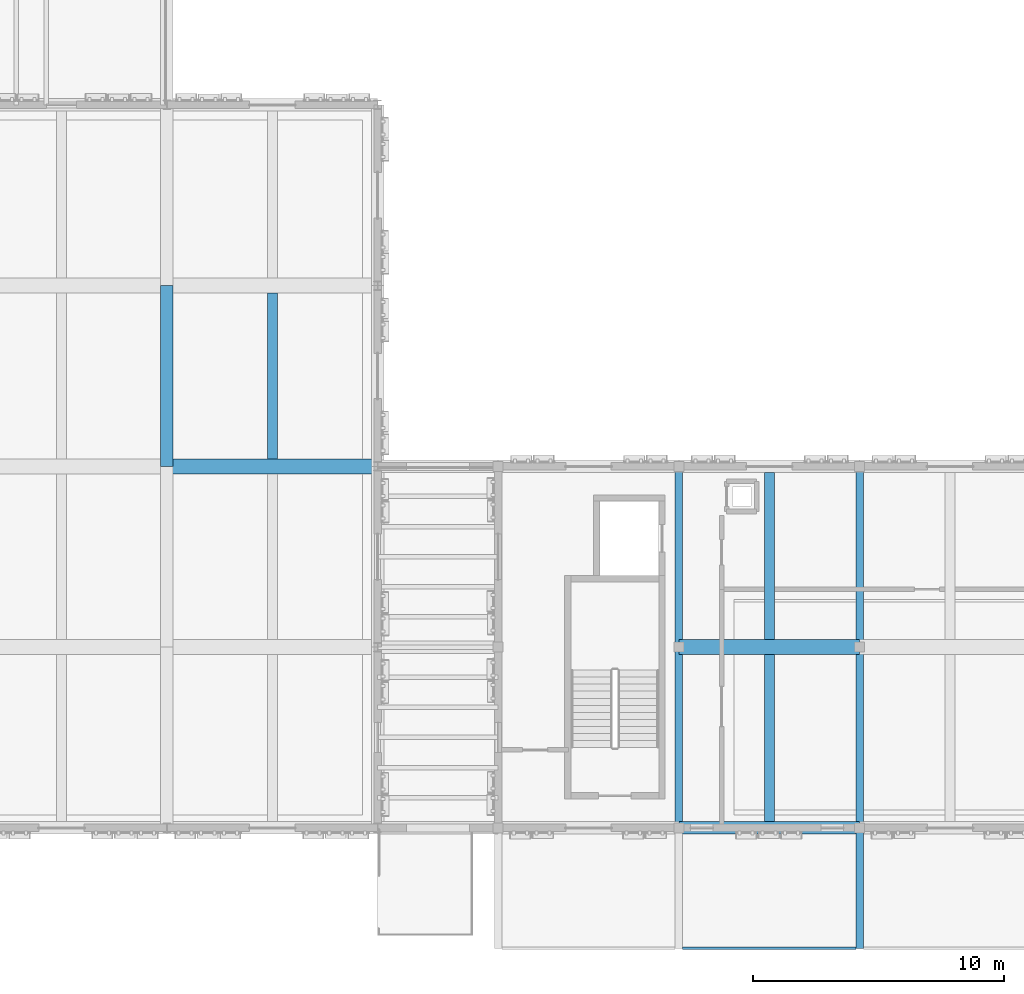
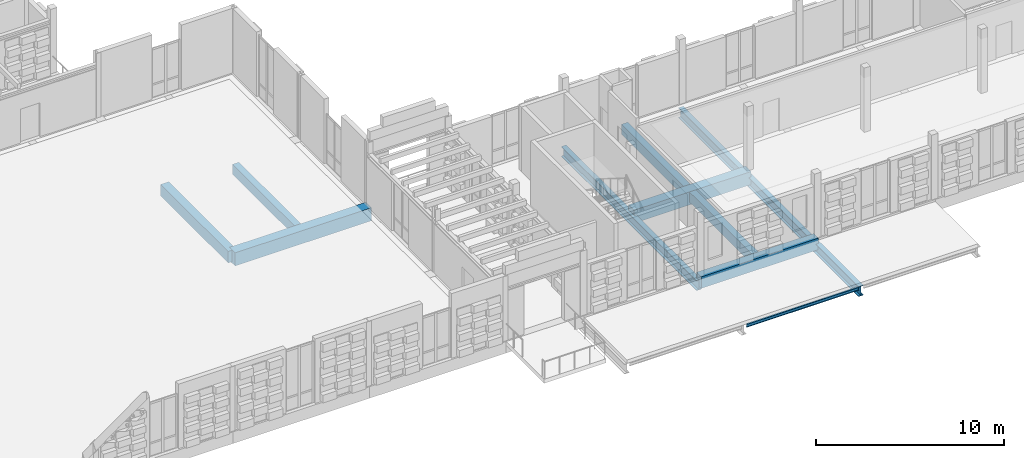
# One storey, part 14 of 99: 11 beams.
"""IFC4 building model written with IfcOpenShell, lengths in metres."""

from ifc_helpers import new_model, si_unit, direction, frame, origin, origin_2d, place, context, subcontext, project, spatial, rectangle, i_section, extrude, material, material_profile, profile_set, type_object, element, save


model = new_model("IFC4")

# Units and contexts
model_context = context("Model", 3, precision=1e-05, world=origin(), true_north=direction((0.0, 1.0)))
body_context = subcontext(model_context, "Body", "Model", "MODEL_VIEW")
ifc_project = project(units=[si_unit("LENGTHUNIT", "METRE"), si_unit("AREAUNIT", "SQUARE_METRE"), si_unit("VOLUMEUNIT", "CUBIC_METRE"), si_unit("PLANEANGLEUNIT", "RADIAN"), si_unit("MASSUNIT", "GRAM", prefix="KILO")], contexts=[model_context])

# Site, building, storey
site_placement = place(None, origin())
site = spatial("IfcSite", under=ifc_project, at=site_placement, CompositionType="ELEMENT")
building_placement = place(site_placement, origin())
building = spatial("IfcBuilding", under=site, at=building_placement, Name="Kahlenmark Community Centre", CompositionType="ELEMENT")
storey_placement = place(building_placement, frame((0.0, 0.0, 5.39990234375)))
storey = spatial("IfcBuildingStorey", under=building, at=storey_placement, Name="L01", CompositionType="ELEMENT", Elevation=5.39990234375)

# Beams
ifc_material_1 = material(Name="Steel S355", Category="steel")
ifc_material_profile_1 = material_profile(ifc_material_1, i_section(OverallWidth=0.300048828125, OverallDepth=0.64990234375, WebThickness=0.01611328125, FlangeThickness=0.031005859375, at=origin_2d()), Name="HEB 650")
ifc_profile_set_1 = profile_set([ifc_material_profile_1], Name="Steel S355")
beam_type_1 = type_object("IfcBeamType", Name="BT-BEAM-HEB650", PredefinedType="BEAM", material=ifc_profile_set_1)
beam_1_placement = place(storey_placement, frame((58.0, 8.800048828125, -0.6748046875), z_axis=(0.0, 1.0, 0.0), x_axis=(-1.0, 0.0, 0.0)))
element("IfcBeam", 1, at=beam_1_placement, inside=storey, type_object=beam_type_1, Name="L01 beam BG-CAN650", PredefinedType="BEAM", context=body_context, shape_type="SweptSolid", body=[
    extrude(i_section(OverallWidth=0.300048828125, OverallDepth=0.64990234375, WebThickness=0.01611328125, FlangeThickness=0.031005859375, at=origin_2d()), origin(), (0.0, 0.0, 1.0), 14.39990234375),
])
beam_2_placement = place(storey_placement, frame((65.199951171875, 4.0, -0.6748046875), z_axis=(0.0, 1.0, 0.0), x_axis=(-1.0, 0.0, 0.0)))
element("IfcBeam", 2, at=beam_2_placement, inside=storey, type_object=beam_type_1, Name="L01 beam BG-CAN650", PredefinedType="BEAM", context=body_context, shape_type="SweptSolid", body=[
    extrude(i_section(OverallWidth=0.300048828125, OverallDepth=0.64990234375, WebThickness=0.01611328125, FlangeThickness=0.031005859375, at=origin_2d()), origin(), (0.0, 0.0, 1.0), 4.800048828125),
])
beam_3_placement = place(storey_placement, frame((65.199951171875, 8.800048828125, -0.6748046875), z_axis=(0.0, 1.0, 0.0), x_axis=(-1.0, 0.0, 0.0)))
element("IfcBeam", 3, at=beam_3_placement, inside=storey, type_object=beam_type_1, Name="L01 beam BG-CAN650", PredefinedType="BEAM", context=body_context, shape_type="SweptSolid", body=[
    extrude(i_section(OverallWidth=0.300048828125, OverallDepth=0.64990234375, WebThickness=0.01611328125, FlangeThickness=0.031005859375, at=origin_2d()), origin(), (0.0, 0.0, 1.0), 14.39990234375),
])
ifc_material_2 = material(Name="Concrete C35/45", Category="concrete")
ifc_material_profile_2 = material_profile(ifc_material_2, rectangle(XDim=0.5, YDim=0.75, at=origin_2d()), Name="RC 500x750")
ifc_profile_set_2 = profile_set([ifc_material_profile_2], Name="Concrete C35/45")
beam_type_2 = type_object("IfcBeamType", Name="BT-BEAM-RC500x750", PredefinedType="BEAM", material=ifc_profile_set_2)
beam_4_placement = place(storey_placement, frame((37.60009765625, 23.199951171875, -0.375), z_axis=(0.0, 1.0, 0.0), x_axis=(-1.0, 0.0, 0.0)))
element("IfcBeam", 4, at=beam_4_placement, inside=storey, type_object=beam_type_2, Name="L01 beam BG-RC500x750", PredefinedType="BEAM", context=body_context, shape_type="SweptSolid", body=[
    extrude(rectangle(XDim=0.5, YDim=0.75, at=origin_2d()), origin(), (0.0, 0.0, 1.0), 7.199951171875),
])
ifc_material_profile_3 = material_profile(ifc_material_2, rectangle(XDim=0.60009765625, YDim=0.85009765625, at=origin_2d()), Name="RC 600x850")
ifc_profile_set_3 = profile_set([ifc_material_profile_3], Name="Concrete C35/45")
beam_type_3 = type_object("IfcBeamType", Name="BT-BEAM-RC600x850", PredefinedType="BEAM", material=ifc_profile_set_3)
beam_5_placement = place(storey_placement, frame((37.60009765625, 23.199951171875, -0.4248046875), z_axis=(1.0, 0.0, 0.0), x_axis=(0.0, 1.0, 0.0)))
element("IfcBeam", 5, at=beam_5_placement, inside=storey, type_object=beam_type_3, Name="L01 beam BG-RC600x850", PredefinedType="BEAM", context=body_context, shape_type="SweptSolid", body=[
    extrude(rectangle(XDim=0.60009765625, YDim=0.85009765625, at=origin_2d()), origin(), (0.0, 0.0, 1.0), 8.39990234375),
])
beam_6_placement = place(storey_placement, frame((58.0, 16.0, -0.4248046875), z_axis=(1.0, 0.0, 0.0), x_axis=(0.0, 1.0, 0.0)))
element("IfcBeam", 6, at=beam_6_placement, inside=storey, type_object=beam_type_3, Name="L01 beam BG-RC600x850", PredefinedType="BEAM", context=body_context, shape_type="SweptSolid", body=[
    extrude(rectangle(XDim=0.60009765625, YDim=0.85009765625, at=origin_2d()), origin(), (0.0, 0.0, 1.0), 7.199951171875),
])
ifc_material_profile_4 = material_profile(ifc_material_2, rectangle(XDim=0.39990234375, YDim=0.64990234375, at=origin_2d()), Name="RC 400x650")
ifc_profile_set_4 = profile_set([ifc_material_profile_4], Name="Concrete C35/45")
beam_type_4 = type_object("IfcBeamType", Name="BT-JOIST-RC400x650", PredefinedType="JOIST", material=ifc_profile_set_4)
beam_7_placement = place(storey_placement, frame((41.800048828125, 23.498046875, -0.324951171875), z_axis=(0.0, 1.0, 0.0), x_axis=(-1.0, 0.0, 0.0)))
element("IfcBeam", 7, at=beam_7_placement, inside=storey, type_object=beam_type_4, Name="L01 joist BJ-RC400x650", PredefinedType="JOIST", context=body_context, shape_type="SweptSolid", body=[
    extrude(rectangle(XDim=0.39990234375, YDim=0.64990234375, at=origin_2d()), origin(), (0.0, 0.0, 1.0), 6.60400390625),
])
for number, where, z_axis, x_axis, name in (
    (8, (61.60009765625, 9.048095703125, -0.324951171875), (0.0, 1.0, 0.0), (-1.0, 0.0, 0.0), "L01 joist BJ-RC400x650"),
    (9, (61.60009765625, 16.298095703125, -0.324951171875), (0.0, 1.0, 0.0), (-1.0, 0.0, 0.0), "L01 joist BJ-RC400x650"),
):
    element("IfcBeam", number, at=place(storey_placement, frame(where, z_axis=z_axis, x_axis=x_axis)), inside=storey, type_object=beam_type_4, Name=name, PredefinedType="JOIST", context=body_context, shape_type="SweptSolid", body=[
        extrude(rectangle(XDim=0.39990234375, YDim=0.64990234375, at=origin_2d()), origin(), (0.0, 0.0, 1.0), 6.65380859375),
    ])
ifc_material_profile_5 = material_profile(ifc_material_1, i_section(OverallWidth=0.10009765625, OverallDepth=0.199951171875, WebThickness=0.005615234375, FlangeThickness=0.008544921875, at=origin_2d()), Name="IPE 200")
ifc_profile_set_5 = profile_set([ifc_material_profile_5], Name="Steel S355")
beam_type_5 = type_object("IfcBeamType", Name="BT-SPANDREL-IPE200", PredefinedType="SPANDREL", material=ifc_profile_set_5)
beam_8_placement = place(storey_placement, frame((58.14990234375, 4.0, -0.449951171875), z_axis=(1.0, 0.0, 0.0), x_axis=(0.0, 1.0, 0.0)))
element("IfcBeam", 10, at=beam_8_placement, inside=storey, type_object=beam_type_5, Name="L01 spandrel SP-CAN200", PredefinedType="SPANDREL", context=body_context, shape_type="SweptSolid", body=[
    extrude(i_section(OverallWidth=0.10009765625, OverallDepth=0.199951171875, WebThickness=0.005615234375, FlangeThickness=0.008544921875, at=origin_2d()), origin(), (0.0, 0.0, 1.0), 6.900146484375),
])
ifc_material_profile_6 = material_profile(ifc_material_2, rectangle(XDim=0.5, YDim=0.75, at=origin_2d()), Name="RC 500x750")
ifc_profile_set_6 = profile_set([ifc_material_profile_6], Name="Concrete C35/45")
beam_type_6 = type_object("IfcBeamType", Name="BT-SPANDREL-RC500x750", PredefinedType="SPANDREL", material=ifc_profile_set_6)
beam_9_placement = place(storey_placement, frame((58.0, 8.800048828125, -0.375), z_axis=(1.0, 0.0, 0.0), x_axis=(0.0, 1.0, 0.0)))
element("IfcBeam", 11, at=beam_9_placement, inside=storey, type_object=beam_type_6, Name="L01 spandrel SP-RC500x750", PredefinedType="SPANDREL", context=body_context, shape_type="SweptSolid", body=[
    extrude(rectangle(XDim=0.5, YDim=0.75, at=origin_2d()), origin(), (0.0, 0.0, 1.0), 7.199951171875),
])

save(model, "model.ifc")
